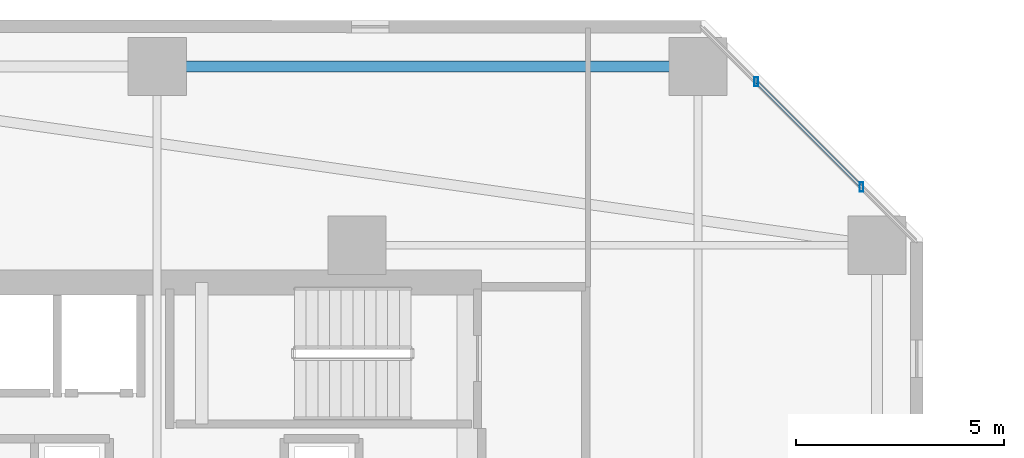
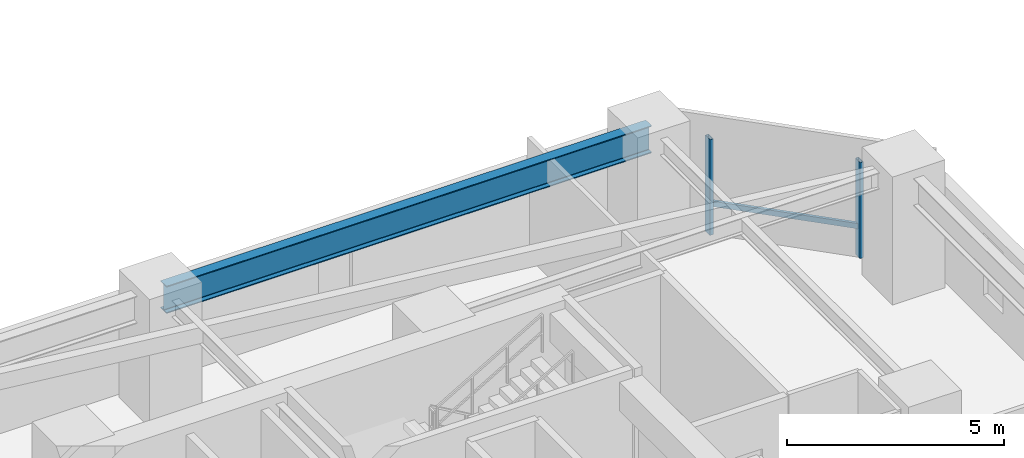
# One storey, part 9 of 33: 3 members, 1 beam, 1 element without a shape of its own.
"""IFC4 building model written with IfcOpenShell, lengths in metres."""

from ifc_helpers import new_model, si_unit, direction, frame, origin, origin_2d, place, context, subcontext, project, spatial, hollow_rectangle, i_section, extrude, material, material_profile, profile_set, type_object, element, aggregate, save


model = new_model("IFC4")

# Units and contexts
model_context = context("Model", 3, precision=1e-05, world=origin(), true_north=direction((0.0, 1.0)))
body_context = subcontext(model_context, "Body", "Model", "MODEL_VIEW")
ifc_project = project(units=[si_unit("LENGTHUNIT", "METRE"), si_unit("AREAUNIT", "SQUARE_METRE"), si_unit("VOLUMEUNIT", "CUBIC_METRE"), si_unit("PLANEANGLEUNIT", "RADIAN"), si_unit("MASSUNIT", "GRAM", prefix="KILO")], contexts=[model_context])

# Site, building, storey
site_placement = place(None, origin())
site = spatial("IfcSite", under=ifc_project, at=site_placement, CompositionType="ELEMENT")
building_placement = place(site_placement, origin())
building = spatial("IfcBuilding", under=site, at=building_placement, Name="Thornwick Lancets Civic Towers", CompositionType="ELEMENT")
storey_placement = place(building_placement, frame((0.0, 0.0, 38.699951171875)))
storey = spatial("IfcBuildingStorey", under=building, at=storey_placement, Name="L09", CompositionType="ELEMENT", Elevation=38.699951171875)

# Beam
ifc_material_1 = material(Name="Steel S355JR", Category="steel")
ifc_material_profile_1 = material_profile(ifc_material_1, i_section(OverallWidth=0.26806640625, OverallDepth=0.769775390625, WebThickness=0.015625, FlangeThickness=0.025390625, FilletRadius=0.0166015625, at=origin_2d()), Name="UKB 762x267x197")
ifc_profile_set_1 = profile_set([ifc_material_profile_1], Name="Steel S355JR")
beam_type = type_object("IfcBeamType", Name="BM_GIRD_762_197", PredefinedType="BEAM", material=ifc_profile_set_1)
beam_placement = place(storey_placement, frame((25.580078125, 44.300048828125, 2.97509765625), z_axis=(1.0, 0.0, 0.0), x_axis=(0.0, 1.0, 0.0)))
element("IfcBeam", 1, at=beam_placement, inside=storey, type_object=beam_type, Name="BM-SPINE-L09-A-7-8", PredefinedType="BEAM", context=body_context, shape_type="SweptSolid", body=[
    extrude(i_section(OverallWidth=0.26806640625, OverallDepth=0.769775390625, WebThickness=0.015625, FlangeThickness=0.025390625, FilletRadius=0.0166015625, at=origin_2d()), origin(), (0.0, 0.0, 1.0), 12.919921875),
])

# Curtain wall, members
ifc_material_2 = material(Name="Low-zone chamfered-corner unitised glass curtain wall", Category="glass")
curtain_wall_type = type_object("IfcCurtainWallType", Name="CW_SYS_03", PredefinedType="NOTDEFINED", material=ifc_material_2)
curtain_wall_placement = place(storey_placement, origin())
curtain_wall = element("IfcCurtainWall", 2, at=curtain_wall_placement, inside=storey, type_object=curtain_wall_type, Name="L09 Curtain Wall CW-L09-A-E3", PredefinedType="NOTDEFINED")
ifc_material_3 = material(Name="Thermally broken bronze aluminium S355", Category="steel")
ifc_material_profile_2 = material_profile(ifc_material_3, hollow_rectangle(XDim=0.090087890625, YDim=0.219970703125, WallThickness=0.00634765625, at=origin_2d()), Name="RHS 220x90x6.3")
ifc_profile_set_2 = profile_set([ifc_material_profile_2], Name="Thermally broken bronze aluminium S355")
member_type_1 = type_object("IfcMemberType", Name="CW_MUL_220", PredefinedType="MULLION", material=ifc_profile_set_2)
member_1_placement = place(storey_placement, frame((42.430908203125, 41.398681640625, 0.0), z_axis=(0.0, 0.0, 1.0), x_axis=(1.0, 0.0, 0.0)))
member_1 = element("IfcMember", 3, at=member_1_placement, type_object=member_type_1, Name="CW-L09-A-E3 Mullion 0", PredefinedType="MULLION", context=body_context, shape_type="SweptSolid", body=[
    extrude(hollow_rectangle(XDim=0.090087890625, YDim=0.219970703125, WallThickness=0.00634765625, at=origin_2d()), origin(), (0.0, 0.0, 1.0), 2.699951171875),
])
member_2_placement = place(storey_placement, frame((39.898681640625, 43.930908203125, 0.0), z_axis=(0.0, 0.0, 1.0), x_axis=(1.0, 0.0, 0.0)))
member_2 = element("IfcMember", 4, at=member_2_placement, type_object=member_type_1, Name="CW-L09-A-E3 Mullion 1", PredefinedType="MULLION", context=body_context, shape_type="SweptSolid", body=[
    extrude(hollow_rectangle(XDim=0.090087890625, YDim=0.219970703125, WallThickness=0.00634765625, at=origin_2d()), origin(), (0.0, 0.0, 1.0), 2.699951171875),
])
ifc_material_profile_3 = material_profile(ifc_material_3, hollow_rectangle(XDim=0.074951171875, YDim=0.14990234375, WallThickness=0.0048828125, at=origin_2d()), Name="RHS 150x75x5")
ifc_profile_set_3 = profile_set([ifc_material_profile_3], Name="Thermally broken bronze aluminium S355")
member_type_2 = type_object("IfcMemberType", Name="CW_TRN_150", PredefinedType="USERDEFINED", material=ifc_profile_set_3)
member_3_placement = place(storey_placement, frame((42.4169921875, 41.412841796875, 0.85009765625), z_axis=(-0.707106781187, 0.707106781187, 0.0), x_axis=(-0.707106781187, -0.707106781187, 0.0)))
member_3 = element("IfcMember", 5, at=member_3_placement, type_object=member_type_2, Name="CW-L09-A-E3 Transom 0", ObjectType="TRANSOM", PredefinedType="USERDEFINED", context=body_context, shape_type="SweptSolid", body=[
    extrude(hollow_rectangle(XDim=0.074951171875, YDim=0.14990234375, WallThickness=0.0048828125, at=origin_2d()), origin(), (0.0, 0.0, 1.0), 3.54150390625),
])
aggregate(curtain_wall, [member_1, member_2, member_3])

save(model, "model.ifc")
